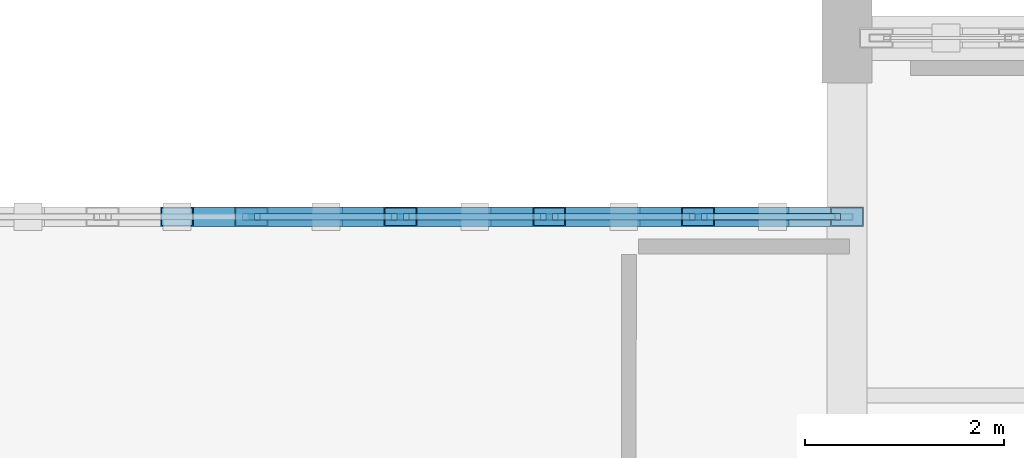
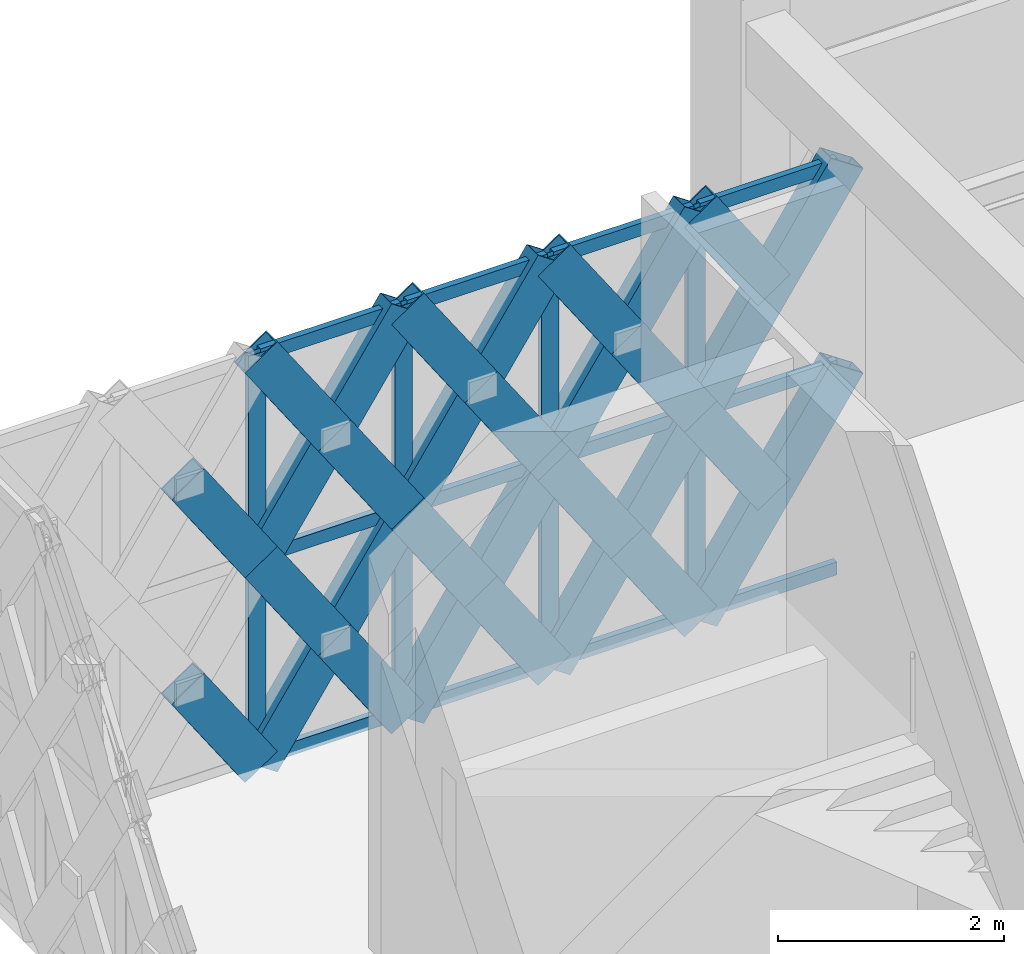
# One storey, part 34 of 86: 40 members, 1 element without a shape of its own.
"""IFC4 building model written with IfcOpenShell, lengths in metres."""

from ifc_helpers import new_model, si_unit, direction, frame, origin, origin_2d, place, context, subcontext, project, spatial, hollow_rectangle, extrude, material, material_profile, profile_set, type_object, element, aggregate, save


model = new_model("IFC4")

# Units and contexts
model_context = context("Model", 3, precision=1e-05, world=origin(), true_north=direction((0.0, 1.0)))
body_context = subcontext(model_context, "Body", "Model", "MODEL_VIEW")
ifc_project = project(units=[si_unit("LENGTHUNIT", "METRE"), si_unit("AREAUNIT", "SQUARE_METRE"), si_unit("VOLUMEUNIT", "CUBIC_METRE"), si_unit("PLANEANGLEUNIT", "RADIAN"), si_unit("MASSUNIT", "GRAM", prefix="KILO")], contexts=[model_context])

# Site, building, storey
site_placement = place(None, origin())
site = spatial("IfcSite", under=ifc_project, at=site_placement, CompositionType="ELEMENT")
building_placement = place(site_placement, origin())
building = spatial("IfcBuilding", under=site, at=building_placement, Name="Haizhuo Lancet Aquarium", CompositionType="ELEMENT")
storey_placement = place(building_placement, frame((0.0, 0.0, 16.199951171875)))
storey = spatial("IfcBuildingStorey", under=building, at=storey_placement, Name="L03", CompositionType="ELEMENT", Elevation=16.199951171875)

# Curtain wall, members
ifc_material_1 = material(Name="Aluminium 6063-T6", Category="aluminium")
curtain_wall_type = type_object("IfcCurtainWallType", Name="CWD-9000x4430", PredefinedType="NOTDEFINED", material=ifc_material_1)
curtain_wall_placement = place(storey_placement, origin())
curtain_wall = element("IfcCurtainWall", 1, at=curtain_wall_placement, inside=storey, type_object=curtain_wall_type, Name="L03 curtain wall CW-V5-L03-160", PredefinedType="NOTDEFINED")
ifc_material_profile_1 = material_profile(ifc_material_1, hollow_rectangle(XDim=0.06494140625, YDim=0.179931640625, WallThickness=0.00390625, at=origin_2d()), Name="ALU-M 65x180x4")
ifc_profile_set_1 = profile_set([ifc_material_profile_1], Name="Aluminium 6063-T6")
member_type_1 = type_object("IfcMemberType", Name="CW-MUL-1", PredefinedType="MULLION", material=ifc_profile_set_1)
member_1_placement = place(storey_placement, frame((-24.0, 54.0, 0.0), z_axis=(0.0, 0.0, 1.0), x_axis=(0.0, 1.0, 0.0)))
member_1 = element("IfcMember", 2, at=member_1_placement, type_object=member_type_1, Name="CWD-90x44 mullion 3", PredefinedType="MULLION", context=body_context, shape_type="SweptSolid", body=[
    extrude(hollow_rectangle(XDim=0.06494140625, YDim=0.179931640625, WallThickness=0.00390625, at=origin_2d()), origin(), (0.0, 0.0, 1.0), 4.43505859375),
])
member_2_placement = place(storey_placement, frame((-22.5, 54.0, 0.0), z_axis=(0.0, 0.0, 1.0), x_axis=(0.0, 1.0, 0.0)))
member_2 = element("IfcMember", 3, at=member_2_placement, type_object=member_type_1, Name="CWD-90x44 mullion 4", PredefinedType="MULLION", context=body_context, shape_type="SweptSolid", body=[
    extrude(hollow_rectangle(XDim=0.06494140625, YDim=0.179931640625, WallThickness=0.00390625, at=origin_2d()), origin(), (0.0, 0.0, 1.0), 4.43505859375),
])
member_3_placement = place(storey_placement, frame((-21.0, 54.0, 0.0), z_axis=(0.0, 0.0, 1.0), x_axis=(0.0, 1.0, 0.0)))
member_3 = element("IfcMember", 4, at=member_3_placement, type_object=member_type_1, Name="CWD-90x44 mullion 5", PredefinedType="MULLION", context=body_context, shape_type="SweptSolid", body=[
    extrude(hollow_rectangle(XDim=0.06494140625, YDim=0.179931640625, WallThickness=0.00390625, at=origin_2d()), origin(), (0.0, 0.0, 1.0), 4.43505859375),
])
member_4_placement = place(storey_placement, frame((-19.5, 54.0, 0.0), z_axis=(0.0, 0.0, 1.0), x_axis=(0.0, 1.0, 0.0)))
member_4 = element("IfcMember", 5, at=member_4_placement, type_object=member_type_1, Name="CWD-90x44 mullion 6", PredefinedType="MULLION", context=body_context, shape_type="SweptSolid", body=[
    extrude(hollow_rectangle(XDim=0.06494140625, YDim=0.179931640625, WallThickness=0.00390625, at=origin_2d()), origin(), (0.0, 0.0, 1.0), 4.43505859375),
])
ifc_material_profile_2 = material_profile(ifc_material_1, hollow_rectangle(XDim=0.06494140625, YDim=0.139892578125, WallThickness=0.00390625, at=origin_2d()), Name="ALU-T 65x140x4")
ifc_profile_set_2 = profile_set([ifc_material_profile_2], Name="Aluminium 6063-T6")
member_type_2 = type_object("IfcMemberType", Name="CW-TRN-1", PredefinedType="NOTDEFINED", material=ifc_profile_set_2)
member_5_placement = place(storey_placement, frame((-23.968017578125, 54.0, 0.031982421875), z_axis=(1.0, 0.0, 0.0), x_axis=(0.0, 1.0, 0.0)))
member_5 = element("IfcMember", 6, at=member_5_placement, type_object=member_type_2, Name="CWD-90x44 transom 3.1", ObjectType="TRANSOM", PredefinedType="USERDEFINED", context=body_context, shape_type="SweptSolid", body=[
    extrude(hollow_rectangle(XDim=0.06494140625, YDim=0.139892578125, WallThickness=0.00390625, at=origin_2d()), origin(), (0.0, 0.0, 1.0), 1.43603515625),
])
member_6_placement = place(storey_placement, frame((-23.968017578125, 54.0, 2.218017578125), z_axis=(1.0, 0.0, 0.0), x_axis=(0.0, 1.0, 0.0)))
member_6 = element("IfcMember", 7, at=member_6_placement, type_object=member_type_2, Name="CWD-90x44 transom 3.2", ObjectType="TRANSOM", PredefinedType="USERDEFINED", context=body_context, shape_type="SweptSolid", body=[
    extrude(hollow_rectangle(XDim=0.06494140625, YDim=0.139892578125, WallThickness=0.00390625, at=origin_2d()), origin(), (0.0, 0.0, 1.0), 1.43603515625),
])
member_7_placement = place(storey_placement, frame((-23.968017578125, 54.0, 4.403076171875), z_axis=(1.0, 0.0, 0.0), x_axis=(0.0, 1.0, 0.0)))
member_7 = element("IfcMember", 8, at=member_7_placement, type_object=member_type_2, Name="CWD-90x44 transom 3.3", ObjectType="TRANSOM", PredefinedType="USERDEFINED", context=body_context, shape_type="SweptSolid", body=[
    extrude(hollow_rectangle(XDim=0.06494140625, YDim=0.139892578125, WallThickness=0.00390625, at=origin_2d()), origin(), (0.0, 0.0, 1.0), 1.43603515625),
])
member_8_placement = place(storey_placement, frame((-22.468017578125, 54.0, 0.031982421875), z_axis=(1.0, 0.0, 0.0), x_axis=(0.0, 1.0, 0.0)))
member_8 = element("IfcMember", 9, at=member_8_placement, type_object=member_type_2, Name="CWD-90x44 transom 4.1", ObjectType="TRANSOM", PredefinedType="USERDEFINED", context=body_context, shape_type="SweptSolid", body=[
    extrude(hollow_rectangle(XDim=0.06494140625, YDim=0.139892578125, WallThickness=0.00390625, at=origin_2d()), origin(), (0.0, 0.0, 1.0), 1.43603515625),
])
member_9_placement = place(storey_placement, frame((-22.468017578125, 54.0, 2.218017578125), z_axis=(1.0, 0.0, 0.0), x_axis=(0.0, 1.0, 0.0)))
member_9 = element("IfcMember", 10, at=member_9_placement, type_object=member_type_2, Name="CWD-90x44 transom 4.2", ObjectType="TRANSOM", PredefinedType="USERDEFINED", context=body_context, shape_type="SweptSolid", body=[
    extrude(hollow_rectangle(XDim=0.06494140625, YDim=0.139892578125, WallThickness=0.00390625, at=origin_2d()), origin(), (0.0, 0.0, 1.0), 1.43603515625),
])
member_10_placement = place(storey_placement, frame((-22.468017578125, 54.0, 4.403076171875), z_axis=(1.0, 0.0, 0.0), x_axis=(0.0, 1.0, 0.0)))
member_10 = element("IfcMember", 11, at=member_10_placement, type_object=member_type_2, Name="CWD-90x44 transom 4.3", ObjectType="TRANSOM", PredefinedType="USERDEFINED", context=body_context, shape_type="SweptSolid", body=[
    extrude(hollow_rectangle(XDim=0.06494140625, YDim=0.139892578125, WallThickness=0.00390625, at=origin_2d()), origin(), (0.0, 0.0, 1.0), 1.43603515625),
])
member_11_placement = place(storey_placement, frame((-20.968017578125, 54.0, 0.031982421875), z_axis=(1.0, 0.0, 0.0), x_axis=(0.0, 1.0, 0.0)))
member_11 = element("IfcMember", 12, at=member_11_placement, type_object=member_type_2, Name="CWD-90x44 transom 5.1", ObjectType="TRANSOM", PredefinedType="USERDEFINED", context=body_context, shape_type="SweptSolid", body=[
    extrude(hollow_rectangle(XDim=0.06494140625, YDim=0.139892578125, WallThickness=0.00390625, at=origin_2d()), origin(), (0.0, 0.0, 1.0), 1.43603515625),
])
member_12_placement = place(storey_placement, frame((-20.968017578125, 54.0, 2.218017578125), z_axis=(1.0, 0.0, 0.0), x_axis=(0.0, 1.0, 0.0)))
member_12 = element("IfcMember", 13, at=member_12_placement, type_object=member_type_2, Name="CWD-90x44 transom 5.2", ObjectType="TRANSOM", PredefinedType="USERDEFINED", context=body_context, shape_type="SweptSolid", body=[
    extrude(hollow_rectangle(XDim=0.06494140625, YDim=0.139892578125, WallThickness=0.00390625, at=origin_2d()), origin(), (0.0, 0.0, 1.0), 1.43603515625),
])
member_13_placement = place(storey_placement, frame((-20.968017578125, 54.0, 4.403076171875), z_axis=(1.0, 0.0, 0.0), x_axis=(0.0, 1.0, 0.0)))
member_13 = element("IfcMember", 14, at=member_13_placement, type_object=member_type_2, Name="CWD-90x44 transom 5.3", ObjectType="TRANSOM", PredefinedType="USERDEFINED", context=body_context, shape_type="SweptSolid", body=[
    extrude(hollow_rectangle(XDim=0.06494140625, YDim=0.139892578125, WallThickness=0.00390625, at=origin_2d()), origin(), (0.0, 0.0, 1.0), 1.43603515625),
])
member_14_placement = place(storey_placement, frame((-19.468017578125, 54.0, 0.031982421875), z_axis=(1.0, 0.0, 0.0), x_axis=(0.0, 1.0, 0.0)))
member_14 = element("IfcMember", 15, at=member_14_placement, type_object=member_type_2, Name="CWD-90x44 transom 6.1", ObjectType="TRANSOM", PredefinedType="USERDEFINED", context=body_context, shape_type="SweptSolid", body=[
    extrude(hollow_rectangle(XDim=0.06494140625, YDim=0.139892578125, WallThickness=0.00390625, at=origin_2d()), origin(), (0.0, 0.0, 1.0), 1.403076171875),
])
member_15_placement = place(storey_placement, frame((-19.468017578125, 54.0, 2.218017578125), z_axis=(1.0, 0.0, 0.0), x_axis=(0.0, 1.0, 0.0)))
member_15 = element("IfcMember", 16, at=member_15_placement, type_object=member_type_2, Name="CWD-90x44 transom 6.2", ObjectType="TRANSOM", PredefinedType="USERDEFINED", context=body_context, shape_type="SweptSolid", body=[
    extrude(hollow_rectangle(XDim=0.06494140625, YDim=0.139892578125, WallThickness=0.00390625, at=origin_2d()), origin(), (0.0, 0.0, 1.0), 1.403076171875),
])
member_16_placement = place(storey_placement, frame((-19.468017578125, 54.0, 4.403076171875), z_axis=(1.0, 0.0, 0.0), x_axis=(0.0, 1.0, 0.0)))
member_16 = element("IfcMember", 17, at=member_16_placement, type_object=member_type_2, Name="CWD-90x44 transom 6.3", ObjectType="TRANSOM", PredefinedType="USERDEFINED", context=body_context, shape_type="SweptSolid", body=[
    extrude(hollow_rectangle(XDim=0.06494140625, YDim=0.139892578125, WallThickness=0.00390625, at=origin_2d()), origin(), (0.0, 0.0, 1.0), 1.403076171875),
])
aggregate(curtain_wall, [member_1, member_2, member_3, member_4, member_5, member_6, member_7, member_8, member_9, member_10, member_11, member_12, member_13, member_14, member_15, member_16])

# Members
ifc_material_2 = material(Name="Steel S355", Category="steel")
ifc_material_profile_3 = material_profile(ifc_material_2, hollow_rectangle(XDim=0.199951171875, YDim=0.39990234375, WallThickness=0.011962890625, at=origin_2d()), Name="RHS 200x400x12")
ifc_profile_set_3 = profile_set([ifc_material_profile_3], Name="Steel S355")
member_type_3 = type_object("IfcMemberType", Name="MEM-LB-RHS200x400", PredefinedType="BRACE", material=ifc_profile_set_3)
member_17_placement = place(storey_placement, frame((-24.0, 54.0, 0.0), z_axis=(-0.560158505884, 0.0, 0.828385446689), x_axis=(0.0, -1.0, 0.0)))
element("IfcMember", 18, at=member_17_placement, inside=storey, type_object=member_type_3, Name="Gothic lancet split diagonal brace CW-V5-L03-160 3B1", PredefinedType="BRACE", context=body_context, shape_type="SweptSolid", body=[
    extrude(hollow_rectangle(XDim=0.199951171875, YDim=0.39990234375, WallThickness=0.011962890625, at=origin_2d()), origin(), (0.0, 0.0, 1.0), 1.3388671875),
])
member_18_placement = place(storey_placement, frame((-24.0, 54.0, 2.218017578125), z_axis=(-0.560581813555, 0.0, 0.828099046196), x_axis=(0.0, -1.0, 0.0)))
element("IfcMember", 19, at=member_18_placement, inside=storey, type_object=member_type_3, Name="Gothic lancet split diagonal brace CW-V5-L03-160 4B1", PredefinedType="BRACE", context=body_context, shape_type="SweptSolid", body=[
    extrude(hollow_rectangle(XDim=0.199951171875, YDim=0.39990234375, WallThickness=0.011962890625, at=origin_2d()), origin(), (0.0, 0.0, 1.0), 1.337890625),
])
member_19_placement = place(storey_placement, frame((-24.0, 54.0, 0.0), z_axis=(0.560200814461, 0.0, 0.828356835837), x_axis=(0.0, 1.0, 0.0)))
element("IfcMember", 20, at=member_19_placement, inside=storey, type_object=member_type_3, Name="Gothic lancet continuous diagonal brace CW-V5-L03-160 5A", PredefinedType="BRACE", context=body_context, shape_type="SweptSolid", body=[
    extrude(hollow_rectangle(XDim=0.199951171875, YDim=0.39990234375, WallThickness=0.011962890625, at=origin_2d()), origin(), (0.0, 0.0, 1.0), 2.677490234375),
])
member_20_placement = place(storey_placement, frame((-22.5, 54.0, 0.0), z_axis=(-0.560158505884, 0.0, 0.828385446689), x_axis=(0.0, -1.0, 0.0)))
element("IfcMember", 21, at=member_20_placement, inside=storey, type_object=member_type_3, Name="Gothic lancet split diagonal brace CW-V5-L03-160 5B1", PredefinedType="BRACE", context=body_context, shape_type="SweptSolid", body=[
    extrude(hollow_rectangle(XDim=0.199951171875, YDim=0.39990234375, WallThickness=0.011962890625, at=origin_2d()), origin(), (0.0, 0.0, 1.0), 1.3388671875),
])
member_21_placement = place(storey_placement, frame((-23.25, 54.0, 1.109130859375), z_axis=(-0.560243127969, 0.0, 0.8283282185), x_axis=(0.0, -1.0, 0.0)))
element("IfcMember", 22, at=member_21_placement, inside=storey, type_object=member_type_3, Name="Gothic lancet split diagonal brace CW-V5-L03-160 5B2", PredefinedType="BRACE", context=body_context, shape_type="SweptSolid", body=[
    extrude(hollow_rectangle(XDim=0.199951171875, YDim=0.39990234375, WallThickness=0.011962890625, at=origin_2d()), origin(), (0.0, 0.0, 1.0), 1.338623046875),
])
member_22_placement = place(storey_placement, frame((-24.0, 54.0, 2.218017578125), z_axis=(0.560370098074, 0.0, 0.828242327573), x_axis=(0.0, 1.0, 0.0)))
element("IfcMember", 23, at=member_22_placement, inside=storey, type_object=member_type_3, Name="Gothic lancet continuous diagonal brace CW-V5-L03-160 6A", PredefinedType="BRACE", context=body_context, shape_type="SweptSolid", body=[
    extrude(hollow_rectangle(XDim=0.199951171875, YDim=0.39990234375, WallThickness=0.011962890625, at=origin_2d()), origin(), (0.0, 0.0, 1.0), 2.6767578125),
])
member_23_placement = place(storey_placement, frame((-22.5, 54.0, 2.218017578125), z_axis=(-0.560581813555, 0.0, 0.828099046196), x_axis=(0.0, -1.0, 0.0)))
element("IfcMember", 24, at=member_23_placement, inside=storey, type_object=member_type_3, Name="Gothic lancet split diagonal brace CW-V5-L03-160 6B1", PredefinedType="BRACE", context=body_context, shape_type="SweptSolid", body=[
    extrude(hollow_rectangle(XDim=0.199951171875, YDim=0.39990234375, WallThickness=0.011962890625, at=origin_2d()), origin(), (0.0, 0.0, 1.0), 1.337890625),
])
member_24_placement = place(storey_placement, frame((-23.25, 54.0, 3.325927734375), z_axis=(-0.560158505884, 0.0, 0.828385446689), x_axis=(0.0, -1.0, 0.0)))
element("IfcMember", 25, at=member_24_placement, inside=storey, type_object=member_type_3, Name="Gothic lancet split diagonal brace CW-V5-L03-160 6B2", PredefinedType="BRACE", context=body_context, shape_type="SweptSolid", body=[
    extrude(hollow_rectangle(XDim=0.199951171875, YDim=0.39990234375, WallThickness=0.011962890625, at=origin_2d()), origin(), (0.0, 0.0, 1.0), 1.3388671875),
])
member_25_placement = place(storey_placement, frame((-22.5, 54.0, 0.0), z_axis=(0.560200814461, 0.0, 0.828356835837), x_axis=(0.0, 1.0, 0.0)))
element("IfcMember", 26, at=member_25_placement, inside=storey, type_object=member_type_3, Name="Gothic lancet continuous diagonal brace CW-V5-L03-160 7A", PredefinedType="BRACE", context=body_context, shape_type="SweptSolid", body=[
    extrude(hollow_rectangle(XDim=0.199951171875, YDim=0.39990234375, WallThickness=0.011962890625, at=origin_2d()), origin(), (0.0, 0.0, 1.0), 2.677490234375),
])
member_26_placement = place(storey_placement, frame((-21.0, 54.0, 0.0), z_axis=(-0.560158505884, 0.0, 0.828385446689), x_axis=(0.0, -1.0, 0.0)))
element("IfcMember", 27, at=member_26_placement, inside=storey, type_object=member_type_3, Name="Gothic lancet split diagonal brace CW-V5-L03-160 7B1", PredefinedType="BRACE", context=body_context, shape_type="SweptSolid", body=[
    extrude(hollow_rectangle(XDim=0.199951171875, YDim=0.39990234375, WallThickness=0.011962890625, at=origin_2d()), origin(), (0.0, 0.0, 1.0), 1.3388671875),
])
member_27_placement = place(storey_placement, frame((-21.75, 54.0, 1.109130859375), z_axis=(-0.560243127969, 0.0, 0.8283282185), x_axis=(0.0, -1.0, 0.0)))
element("IfcMember", 28, at=member_27_placement, inside=storey, type_object=member_type_3, Name="Gothic lancet split diagonal brace CW-V5-L03-160 7B2", PredefinedType="BRACE", context=body_context, shape_type="SweptSolid", body=[
    extrude(hollow_rectangle(XDim=0.199951171875, YDim=0.39990234375, WallThickness=0.011962890625, at=origin_2d()), origin(), (0.0, 0.0, 1.0), 1.338623046875),
])
member_28_placement = place(storey_placement, frame((-22.5, 54.0, 2.218017578125), z_axis=(0.560370098074, 0.0, 0.828242327573), x_axis=(0.0, 1.0, 0.0)))
element("IfcMember", 29, at=member_28_placement, inside=storey, type_object=member_type_3, Name="Gothic lancet continuous diagonal brace CW-V5-L03-160 8A", PredefinedType="BRACE", context=body_context, shape_type="SweptSolid", body=[
    extrude(hollow_rectangle(XDim=0.199951171875, YDim=0.39990234375, WallThickness=0.011962890625, at=origin_2d()), origin(), (0.0, 0.0, 1.0), 2.6767578125),
])
member_29_placement = place(storey_placement, frame((-21.0, 54.0, 2.218017578125), z_axis=(-0.560581813555, 0.0, 0.828099046196), x_axis=(0.0, -1.0, 0.0)))
element("IfcMember", 30, at=member_29_placement, inside=storey, type_object=member_type_3, Name="Gothic lancet split diagonal brace CW-V5-L03-160 8B1", PredefinedType="BRACE", context=body_context, shape_type="SweptSolid", body=[
    extrude(hollow_rectangle(XDim=0.199951171875, YDim=0.39990234375, WallThickness=0.011962890625, at=origin_2d()), origin(), (0.0, 0.0, 1.0), 1.337890625),
])
member_30_placement = place(storey_placement, frame((-21.75, 54.0, 3.325927734375), z_axis=(-0.560158505884, 0.0, 0.828385446689), x_axis=(0.0, -1.0, 0.0)))
element("IfcMember", 31, at=member_30_placement, inside=storey, type_object=member_type_3, Name="Gothic lancet split diagonal brace CW-V5-L03-160 8B2", PredefinedType="BRACE", context=body_context, shape_type="SweptSolid", body=[
    extrude(hollow_rectangle(XDim=0.199951171875, YDim=0.39990234375, WallThickness=0.011962890625, at=origin_2d()), origin(), (0.0, 0.0, 1.0), 1.3388671875),
])
member_31_placement = place(storey_placement, frame((-21.0, 54.0, 0.0), z_axis=(0.560200814461, 0.0, 0.828356835837), x_axis=(0.0, 1.0, 0.0)))
element("IfcMember", 32, at=member_31_placement, inside=storey, type_object=member_type_3, Name="Gothic lancet continuous diagonal brace CW-V5-L03-160 9A", PredefinedType="BRACE", context=body_context, shape_type="SweptSolid", body=[
    extrude(hollow_rectangle(XDim=0.199951171875, YDim=0.39990234375, WallThickness=0.011962890625, at=origin_2d()), origin(), (0.0, 0.0, 1.0), 2.677490234375),
])
member_32_placement = place(storey_placement, frame((-19.5, 54.0, 0.0), z_axis=(-0.560158505884, 0.0, 0.828385446689), x_axis=(0.0, -1.0, 0.0)))
element("IfcMember", 33, at=member_32_placement, inside=storey, type_object=member_type_3, Name="Gothic lancet split diagonal brace CW-V5-L03-160 9B1", PredefinedType="BRACE", context=body_context, shape_type="SweptSolid", body=[
    extrude(hollow_rectangle(XDim=0.199951171875, YDim=0.39990234375, WallThickness=0.011962890625, at=origin_2d()), origin(), (0.0, 0.0, 1.0), 1.3388671875),
])
member_33_placement = place(storey_placement, frame((-20.25, 54.0, 1.109130859375), z_axis=(-0.560243127969, 0.0, 0.8283282185), x_axis=(0.0, -1.0, 0.0)))
element("IfcMember", 34, at=member_33_placement, inside=storey, type_object=member_type_3, Name="Gothic lancet split diagonal brace CW-V5-L03-160 9B2", PredefinedType="BRACE", context=body_context, shape_type="SweptSolid", body=[
    extrude(hollow_rectangle(XDim=0.199951171875, YDim=0.39990234375, WallThickness=0.011962890625, at=origin_2d()), origin(), (0.0, 0.0, 1.0), 1.338623046875),
])
member_34_placement = place(storey_placement, frame((-21.0, 54.0, 2.218017578125), z_axis=(0.560370098074, 0.0, 0.828242327573), x_axis=(0.0, 1.0, 0.0)))
element("IfcMember", 35, at=member_34_placement, inside=storey, type_object=member_type_3, Name="Gothic lancet continuous diagonal brace CW-V5-L03-160 10A", PredefinedType="BRACE", context=body_context, shape_type="SweptSolid", body=[
    extrude(hollow_rectangle(XDim=0.199951171875, YDim=0.39990234375, WallThickness=0.011962890625, at=origin_2d()), origin(), (0.0, 0.0, 1.0), 2.6767578125),
])
member_35_placement = place(storey_placement, frame((-19.5, 54.0, 2.218017578125), z_axis=(-0.560581813555, 0.0, 0.828099046196), x_axis=(0.0, -1.0, 0.0)))
element("IfcMember", 36, at=member_35_placement, inside=storey, type_object=member_type_3, Name="Gothic lancet split diagonal brace CW-V5-L03-160 10B1", PredefinedType="BRACE", context=body_context, shape_type="SweptSolid", body=[
    extrude(hollow_rectangle(XDim=0.199951171875, YDim=0.39990234375, WallThickness=0.011962890625, at=origin_2d()), origin(), (0.0, 0.0, 1.0), 1.337890625),
])
member_36_placement = place(storey_placement, frame((-20.25, 54.0, 3.325927734375), z_axis=(-0.560158505884, 0.0, 0.828385446689), x_axis=(0.0, -1.0, 0.0)))
element("IfcMember", 37, at=member_36_placement, inside=storey, type_object=member_type_3, Name="Gothic lancet split diagonal brace CW-V5-L03-160 10B2", PredefinedType="BRACE", context=body_context, shape_type="SweptSolid", body=[
    extrude(hollow_rectangle(XDim=0.199951171875, YDim=0.39990234375, WallThickness=0.011962890625, at=origin_2d()), origin(), (0.0, 0.0, 1.0), 1.3388671875),
])
member_37_placement = place(storey_placement, frame((-19.5, 54.0, 0.0), z_axis=(0.560200814461, 0.0, 0.828356835837), x_axis=(0.0, 1.0, 0.0)))
element("IfcMember", 38, at=member_37_placement, inside=storey, type_object=member_type_3, Name="Gothic lancet continuous diagonal brace CW-V5-L03-160 11A", PredefinedType="BRACE", context=body_context, shape_type="SweptSolid", body=[
    extrude(hollow_rectangle(XDim=0.199951171875, YDim=0.39990234375, WallThickness=0.011962890625, at=origin_2d()), origin(), (0.0, 0.0, 1.0), 2.677490234375),
])
member_38_placement = place(storey_placement, frame((-18.75, 54.0, 1.109130859375), z_axis=(-0.560243127969, 0.0, 0.8283282185), x_axis=(0.0, -1.0, 0.0)))
element("IfcMember", 39, at=member_38_placement, inside=storey, type_object=member_type_3, Name="Gothic lancet split diagonal brace CW-V5-L03-160 11B2", PredefinedType="BRACE", context=body_context, shape_type="SweptSolid", body=[
    extrude(hollow_rectangle(XDim=0.199951171875, YDim=0.39990234375, WallThickness=0.011962890625, at=origin_2d()), origin(), (0.0, 0.0, 1.0), 1.338623046875),
])
member_39_placement = place(storey_placement, frame((-19.5, 54.0, 2.218017578125), z_axis=(0.560370098074, 0.0, 0.828242327573), x_axis=(0.0, 1.0, 0.0)))
element("IfcMember", 40, at=member_39_placement, inside=storey, type_object=member_type_3, Name="Gothic lancet continuous diagonal brace CW-V5-L03-160 12A", PredefinedType="BRACE", context=body_context, shape_type="SweptSolid", body=[
    extrude(hollow_rectangle(XDim=0.199951171875, YDim=0.39990234375, WallThickness=0.011962890625, at=origin_2d()), origin(), (0.0, 0.0, 1.0), 2.6767578125),
])
member_40_placement = place(storey_placement, frame((-18.75, 54.0, 3.325927734375), z_axis=(-0.560158505884, 0.0, 0.828385446689), x_axis=(0.0, -1.0, 0.0)))
element("IfcMember", 41, at=member_40_placement, inside=storey, type_object=member_type_3, Name="Gothic lancet split diagonal brace CW-V5-L03-160 12B2", PredefinedType="BRACE", context=body_context, shape_type="SweptSolid", body=[
    extrude(hollow_rectangle(XDim=0.199951171875, YDim=0.39990234375, WallThickness=0.011962890625, at=origin_2d()), origin(), (0.0, 0.0, 1.0), 1.3388671875),
])

save(model, "model.ifc")
